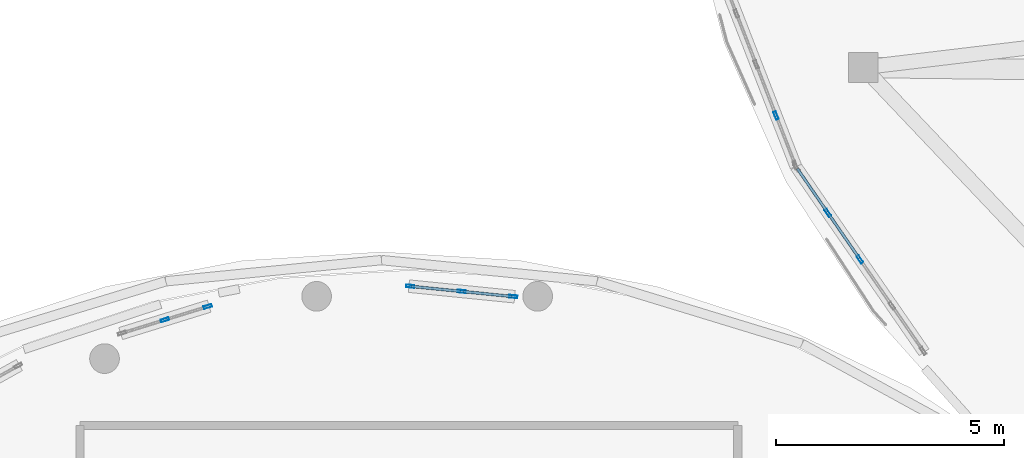
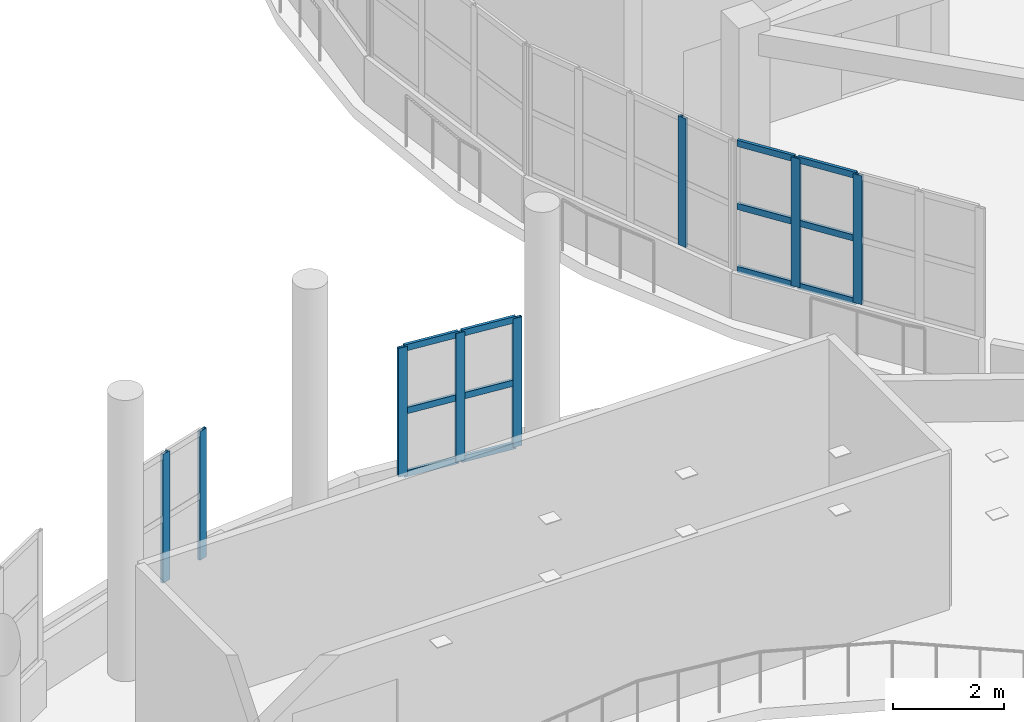
# One storey, part 43 of 105: 20 members, 4 elements without a shape of their own.
"""IFC4 building model written with IfcOpenShell, lengths in metres."""

from ifc_helpers import new_model, si_unit, direction, frame, origin, origin_2d, place, context, subcontext, project, spatial, hollow_rectangle, extrude, material, layer, layer_set, material_profile, profile_set, type_object, element, aggregate, save


model = new_model("IFC4")

# Units and contexts
model_context = context("Model", 3, precision=1e-05, world=origin(), true_north=direction((0.0, 1.0)))
body_context = subcontext(model_context, "Body", "Model", "MODEL_VIEW")
ifc_project = project(units=[si_unit("LENGTHUNIT", "METRE"), si_unit("AREAUNIT", "SQUARE_METRE"), si_unit("VOLUMEUNIT", "CUBIC_METRE"), si_unit("PLANEANGLEUNIT", "RADIAN"), si_unit("MASSUNIT", "GRAM", prefix="KILO")], contexts=[model_context])

# Site, building, storey
site_placement = place(None, origin())
site = spatial("IfcSite", under=ifc_project, at=site_placement, CompositionType="ELEMENT")
building_placement = place(site_placement, origin())
building = spatial("IfcBuilding", under=site, at=building_placement, Name="Pelvatis Terrace Science Centre", CompositionType="ELEMENT")
storey_placement = place(building_placement, frame((0.0, 0.0, 10.199951171875)))
storey = spatial("IfcBuildingStorey", under=building, at=storey_placement, Name="L02", CompositionType="ELEMENT", Elevation=10.199951171875)

# Curtain wall, members
ifc_material_1 = material(Name="Bronze-anodised aluminium and laminated glass", Category="aluminium")
ifc_layer = layer(ifc_material_1, 0.179931640625)
ifc_layer_set = layer_set([ifc_layer], Name="Bronze-anodised aluminium and laminated glass")
curtain_wall_type = type_object("IfcCurtainWallType", Name="CW-RIBBON-A", PredefinedType="NOTDEFINED", material=ifc_layer_set)
curtain_wall_1_placement = place(storey_placement, origin())
curtain_wall_1 = element("IfcCurtainWall", 1, at=curtain_wall_1_placement, inside=storey, type_object=curtain_wall_type, Name="Ribbon curtain wall CW-080 (L02)", PredefinedType="NOTDEFINED")
ifc_material_2 = material(Name="Bronze-anodised aluminium 6063-T6", Category="aluminium")
ifc_material_profile_1 = material_profile(ifc_material_2, hollow_rectangle(XDim=0.06005859375, YDim=0.179931640625, WallThickness=0.00390625, at=origin_2d()), Name="ALU-MUL 60x180")
ifc_profile_set_1 = profile_set([ifc_material_profile_1], Name="Bronze-anodised aluminium 6063-T6")
member_type_1 = type_object("IfcMemberType", Name="CWM-60x180", PredefinedType="MULLION", material=ifc_profile_set_1)
member_1_placement = place(storey_placement, frame((79.88623046875, 71.42138671875, 1.02001953125), z_axis=(0.0, 0.0, 1.0), x_axis=(-0.099546256977, -0.995032935496, 0.0)))
member_1 = element("IfcMember", 2, at=member_1_placement, type_object=member_type_1, Name="CW-080 mullion 1", PredefinedType="MULLION", context=body_context, shape_type="SweptSolid", body=[
    extrude(hollow_rectangle(XDim=0.06005859375, YDim=0.179931640625, WallThickness=0.00390625, at=origin_2d()), origin(), (0.0, 0.0, 1.0), 2.840087890625),
])
member_2_placement = place(storey_placement, frame((78.758056640625, 71.5341796875, 1.02001953125), z_axis=(0.0, 0.0, 1.0), x_axis=(-0.099546256977, -0.995032935496, 0.0)))
member_2 = element("IfcMember", 3, at=member_2_placement, type_object=member_type_1, Name="CW-080 mullion 2", PredefinedType="MULLION", context=body_context, shape_type="SweptSolid", body=[
    extrude(hollow_rectangle(XDim=0.06005859375, YDim=0.179931640625, WallThickness=0.00390625, at=origin_2d()), origin(), (0.0, 0.0, 1.0), 2.840087890625),
])
member_3_placement = place(storey_placement, frame((77.6298828125, 71.64697265625, 1.02001953125), z_axis=(0.0, 0.0, 1.0), x_axis=(-0.099546256977, -0.995032935496, 0.0)))
member_3 = element("IfcMember", 4, at=member_3_placement, type_object=member_type_1, Name="CW-080 mullion 3", PredefinedType="MULLION", context=body_context, shape_type="SweptSolid", body=[
    extrude(hollow_rectangle(XDim=0.06005859375, YDim=0.179931640625, WallThickness=0.00390625, at=origin_2d()), origin(), (0.0, 0.0, 1.0), 2.840087890625),
])

curtain_wall_2_placement = place(storey_placement, origin())
curtain_wall_2 = element("IfcCurtainWall", 5, at=curtain_wall_2_placement, inside=storey, type_object=curtain_wall_type, Name="Ribbon curtain wall CW-081 (L02)", PredefinedType="NOTDEFINED")
member_4_placement = place(storey_placement, frame((73.19873046875, 71.20361328125, 1.02001953125), z_axis=(0.0, 0.0, 1.0), x_axis=(0.296732748523, -0.954960562512, 0.0)))
member_4 = element("IfcMember", 6, at=member_4_placement, type_object=member_type_1, Name="CW-081 mullion 1", PredefinedType="MULLION", context=body_context, shape_type="SweptSolid", body=[
    extrude(hollow_rectangle(XDim=0.06005859375, YDim=0.179931640625, WallThickness=0.00390625, at=origin_2d()), origin(), (0.0, 0.0, 1.0), 2.840087890625),
])
member_5_placement = place(storey_placement, frame((72.259521484375, 70.91162109375, 1.02001953125), z_axis=(0.0, 0.0, 1.0), x_axis=(0.296732748523, -0.954960562512, 0.0)))
member_5 = element("IfcMember", 7, at=member_5_placement, type_object=member_type_1, Name="CW-081 mullion 2", PredefinedType="MULLION", context=body_context, shape_type="SweptSolid", body=[
    extrude(hollow_rectangle(XDim=0.06005859375, YDim=0.179931640625, WallThickness=0.00390625, at=origin_2d()), origin(), (0.0, 0.0, 1.0), 2.840087890625),
])
aggregate(curtain_wall_2, [member_4, member_5])

# Curtain wall, member
curtain_wall_3_placement = place(storey_placement, origin())
curtain_wall_3 = element("IfcCurtainWall", 8, at=curtain_wall_3_placement, inside=storey, type_object=curtain_wall_type, Name="Ribbon curtain wall CW-170 (L02)", PredefinedType="NOTDEFINED")
member_6_placement = place(storey_placement, frame((85.6376953125, 75.384765625, 1.02001953125), z_axis=(0.0, 0.0, 1.0), x_axis=(0.932092427313, 0.362220522536, 0.0)))
member_6 = element("IfcMember", 9, at=member_6_placement, type_object=member_type_1, Name="CW-170 mullion 4", PredefinedType="MULLION", context=body_context, shape_type="SweptSolid", body=[
    extrude(hollow_rectangle(XDim=0.06005859375, YDim=0.179931640625, WallThickness=0.00390625, at=origin_2d()), origin(), (0.0, 0.0, 1.0), 2.840087890625),
])
aggregate(curtain_wall_3, [member_6])

# Curtain wall, members
curtain_wall_4_placement = place(storey_placement, origin())
curtain_wall_4 = element("IfcCurtainWall", 10, at=curtain_wall_4_placement, inside=storey, type_object=curtain_wall_type, Name="Ribbon curtain wall CW-171 (L02)", PredefinedType="NOTDEFINED")
member_7_placement = place(storey_placement, frame((86.77294921875, 73.252685546875, 1.02001953125), z_axis=(0.0, 0.0, 1.0), x_axis=(0.822888336113, 0.568203120626, 0.0)))
member_7 = element("IfcMember", 11, at=member_7_placement, type_object=member_type_1, Name="CW-171 mullion 2", PredefinedType="MULLION", context=body_context, shape_type="SweptSolid", body=[
    extrude(hollow_rectangle(XDim=0.06005859375, YDim=0.179931640625, WallThickness=0.00390625, at=origin_2d()), origin(), (0.0, 0.0, 1.0), 2.840087890625),
])
member_8_placement = place(storey_placement, frame((87.474609375, 72.236572265625, 1.02001953125), z_axis=(0.0, 0.0, 1.0), x_axis=(0.822888336113, 0.568203120626, 0.0)))
member_8 = element("IfcMember", 12, at=member_8_placement, type_object=member_type_1, Name="CW-171 mullion 3", PredefinedType="MULLION", context=body_context, shape_type="SweptSolid", body=[
    extrude(hollow_rectangle(XDim=0.06005859375, YDim=0.179931640625, WallThickness=0.00390625, at=origin_2d()), origin(), (0.0, 0.0, 1.0), 2.840087890625),
])

# Member
ifc_material_3 = material(Name="Bronze-anodised aluminium 6063-T6", Category="aluminium")
ifc_material_profile_2 = material_profile(ifc_material_3, hollow_rectangle(XDim=0.06005859375, YDim=0.139892578125, WallThickness=0.00390625, at=origin_2d()), Name="ALU-TRN 60x140")
ifc_profile_set_2 = profile_set([ifc_material_profile_2], Name="Bronze-anodised aluminium 6063-T6")
member_type_2 = type_object("IfcMemberType", Name="CWT-60x140", PredefinedType="USERDEFINED", material=ifc_profile_set_2)
member_9_placement = place(storey_placement, frame((79.856201171875, 71.42431640625, 1.050048828125), z_axis=(-0.995028180866, 0.099593771302, 0.0), x_axis=(-0.099593771302, -0.995028180866, 0.0)))
member_9 = element("IfcMember", 13, at=member_9_placement, type_object=member_type_2, Name="CW-080 transom 1.1", ObjectType="TRANSOM", PredefinedType="USERDEFINED", context=body_context, shape_type="SweptSolid", body=[
    extrude(hollow_rectangle(XDim=0.06005859375, YDim=0.139892578125, WallThickness=0.00390625, at=origin_2d()), origin(), (0.0, 0.0, 1.0), 1.07373046875),
])

member_10_placement = place(storey_placement, frame((79.856201171875, 71.42431640625, 2.43994140625), z_axis=(-0.995028180866, 0.099593771302, 0.0), x_axis=(-0.099593771302, -0.995028180866, 0.0)))
member_10 = element("IfcMember", 14, at=member_10_placement, type_object=member_type_2, Name="CW-080 transom 1.2", ObjectType="TRANSOM", PredefinedType="USERDEFINED", context=body_context, shape_type="SweptSolid", body=[
    extrude(hollow_rectangle(XDim=0.06005859375, YDim=0.139892578125, WallThickness=0.00390625, at=origin_2d()), origin(), (0.0, 0.0, 1.0), 1.07373046875),
])

member_11_placement = place(storey_placement, frame((79.856201171875, 71.42431640625, 3.830078125), z_axis=(-0.995028180866, 0.099593771302, 0.0), x_axis=(-0.099593771302, -0.995028180866, 0.0)))
member_11 = element("IfcMember", 15, at=member_11_placement, type_object=member_type_2, Name="CW-080 transom 1.3", ObjectType="TRANSOM", PredefinedType="USERDEFINED", context=body_context, shape_type="SweptSolid", body=[
    extrude(hollow_rectangle(XDim=0.06005859375, YDim=0.139892578125, WallThickness=0.00390625, at=origin_2d()), origin(), (0.0, 0.0, 1.0), 1.07373046875),
])

member_12_placement = place(storey_placement, frame((78.72802734375, 71.537109375, 1.050048828125), z_axis=(-0.995028180866, 0.099593771302, 0.0), x_axis=(-0.099593771302, -0.995028180866, 0.0)))
member_12 = element("IfcMember", 16, at=member_12_placement, type_object=member_type_2, Name="CW-080 transom 2.1", ObjectType="TRANSOM", PredefinedType="USERDEFINED", context=body_context, shape_type="SweptSolid", body=[
    extrude(hollow_rectangle(XDim=0.06005859375, YDim=0.139892578125, WallThickness=0.00390625, at=origin_2d()), origin(), (0.0, 0.0, 1.0), 1.07373046875),
])

member_13_placement = place(storey_placement, frame((78.72802734375, 71.537109375, 2.43994140625), z_axis=(-0.995028180866, 0.099593771302, 0.0), x_axis=(-0.099593771302, -0.995028180866, 0.0)))
member_13 = element("IfcMember", 17, at=member_13_placement, type_object=member_type_2, Name="CW-080 transom 2.2", ObjectType="TRANSOM", PredefinedType="USERDEFINED", context=body_context, shape_type="SweptSolid", body=[
    extrude(hollow_rectangle(XDim=0.06005859375, YDim=0.139892578125, WallThickness=0.00390625, at=origin_2d()), origin(), (0.0, 0.0, 1.0), 1.07373046875),
])

member_14_placement = place(storey_placement, frame((78.72802734375, 71.537109375, 3.830078125), z_axis=(-0.995028180866, 0.099593771302, 0.0), x_axis=(-0.099593771302, -0.995028180866, 0.0)))
member_14 = element("IfcMember", 18, at=member_14_placement, type_object=member_type_2, Name="CW-080 transom 2.3", ObjectType="TRANSOM", PredefinedType="USERDEFINED", context=body_context, shape_type="SweptSolid", body=[
    extrude(hollow_rectangle(XDim=0.06005859375, YDim=0.139892578125, WallThickness=0.00390625, at=origin_2d()), origin(), (0.0, 0.0, 1.0), 1.07373046875),
])

aggregate(curtain_wall_1, [member_1, member_2, member_3, member_9, member_10, member_11, member_12, member_13, member_14])

member_15_placement = place(storey_placement, frame((86.10546875, 74.219482421875, 1.050048828125), z_axis=(0.568111634058, -0.822951499936, 0.0), x_axis=(0.822951499936, 0.568111634058, 0.0)))
member_15 = element("IfcMember", 19, at=member_15_placement, type_object=member_type_2, Name="CW-171 transom 1.1", ObjectType="TRANSOM", PredefinedType="USERDEFINED", context=body_context, shape_type="SweptSolid", body=[
    extrude(hollow_rectangle(XDim=0.06005859375, YDim=0.139892578125, WallThickness=0.00390625, at=origin_2d()), origin(), (0.0, 0.0, 1.0), 1.144775390625),
])

member_16_placement = place(storey_placement, frame((86.10546875, 74.219482421875, 2.43994140625), z_axis=(0.568111634058, -0.822951499936, 0.0), x_axis=(0.822951499936, 0.568111634058, 0.0)))
member_16 = element("IfcMember", 20, at=member_16_placement, type_object=member_type_2, Name="CW-171 transom 1.2", ObjectType="TRANSOM", PredefinedType="USERDEFINED", context=body_context, shape_type="SweptSolid", body=[
    extrude(hollow_rectangle(XDim=0.06005859375, YDim=0.139892578125, WallThickness=0.00390625, at=origin_2d()), origin(), (0.0, 0.0, 1.0), 1.144775390625),
])

member_17_placement = place(storey_placement, frame((86.10546875, 74.219482421875, 3.830078125), z_axis=(0.568111634058, -0.822951499936, 0.0), x_axis=(0.822951499936, 0.568111634058, 0.0)))
member_17 = element("IfcMember", 21, at=member_17_placement, type_object=member_type_2, Name="CW-171 transom 1.3", ObjectType="TRANSOM", PredefinedType="USERDEFINED", context=body_context, shape_type="SweptSolid", body=[
    extrude(hollow_rectangle(XDim=0.06005859375, YDim=0.139892578125, WallThickness=0.00390625, at=origin_2d()), origin(), (0.0, 0.0, 1.0), 1.144775390625),
])

member_18_placement = place(storey_placement, frame((86.7900390625, 73.22802734375, 1.050048828125), z_axis=(0.568150510698, -0.822924660703, 0.0), x_axis=(0.822924660703, 0.568150510698, 0.0)))
member_18 = element("IfcMember", 22, at=member_18_placement, type_object=member_type_2, Name="CW-171 transom 2.1", ObjectType="TRANSOM", PredefinedType="USERDEFINED", context=body_context, shape_type="SweptSolid", body=[
    extrude(hollow_rectangle(XDim=0.06005859375, YDim=0.139892578125, WallThickness=0.00390625, at=origin_2d()), origin(), (0.0, 0.0, 1.0), 1.1748046875),
])

member_19_placement = place(storey_placement, frame((86.7900390625, 73.22802734375, 2.43994140625), z_axis=(0.568150510698, -0.822924660703, 0.0), x_axis=(0.822924660703, 0.568150510698, 0.0)))
member_19 = element("IfcMember", 23, at=member_19_placement, type_object=member_type_2, Name="CW-171 transom 2.2", ObjectType="TRANSOM", PredefinedType="USERDEFINED", context=body_context, shape_type="SweptSolid", body=[
    extrude(hollow_rectangle(XDim=0.06005859375, YDim=0.139892578125, WallThickness=0.00390625, at=origin_2d()), origin(), (0.0, 0.0, 1.0), 1.1748046875),
])

member_20_placement = place(storey_placement, frame((86.7900390625, 73.22802734375, 3.830078125), z_axis=(0.568150510698, -0.822924660703, 0.0), x_axis=(0.822924660703, 0.568150510698, 0.0)))
member_20 = element("IfcMember", 24, at=member_20_placement, type_object=member_type_2, Name="CW-171 transom 2.3", ObjectType="TRANSOM", PredefinedType="USERDEFINED", context=body_context, shape_type="SweptSolid", body=[
    extrude(hollow_rectangle(XDim=0.06005859375, YDim=0.139892578125, WallThickness=0.00390625, at=origin_2d()), origin(), (0.0, 0.0, 1.0), 1.1748046875),
])

aggregate(curtain_wall_4, [member_7, member_8, member_15, member_16, member_17, member_18, member_19, member_20])

save(model, "model.ifc")
